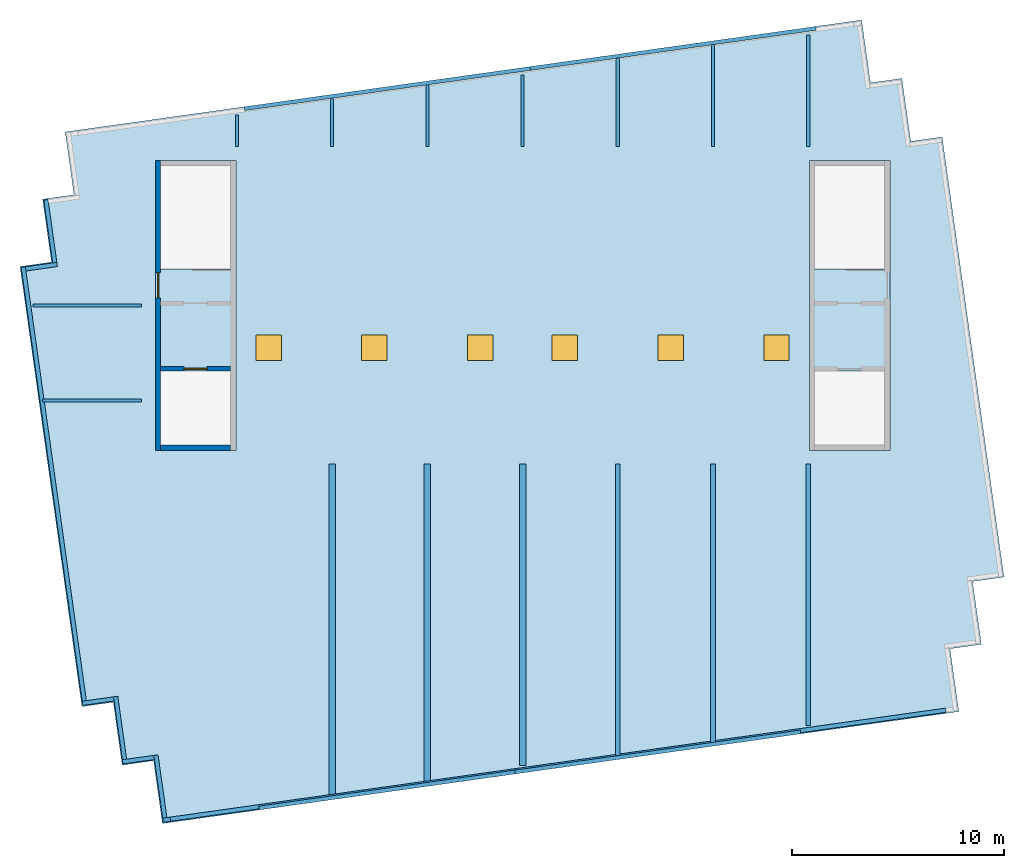
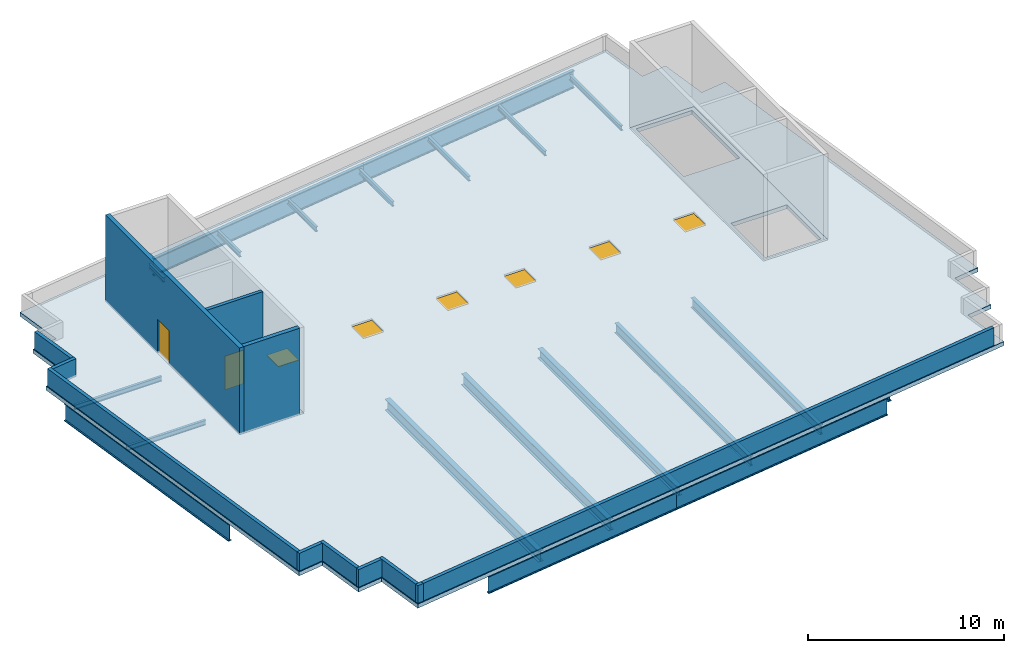
# One storey, part 1 of 3: 20 beams, 12 walls, 6 windows, 3 slabs, 2 doors, 8 openings.
"""IFC4 building model written with IfcOpenShell, lengths in metres."""

from ifc_helpers import new_model, si_unit, direction, frame, frame_2d, origin, origin_2d, place, context, subcontext, project, spatial, polyline, rectangle, i_section, outline, extrude, material, layer, layer_set, material_profile, profile_set, type_object, element, fill, save


model = new_model("IFC4")

# Units and contexts
model_context = context("Model", 3, precision=1e-05, world=origin(), true_north=direction((0.0, 1.0)))
body_context = subcontext(model_context, "Body", "Model", "MODEL_VIEW")
ifc_project = project(units=[si_unit("LENGTHUNIT", "METRE"), si_unit("AREAUNIT", "SQUARE_METRE"), si_unit("VOLUMEUNIT", "CUBIC_METRE"), si_unit("PLANEANGLEUNIT", "RADIAN"), si_unit("MASSUNIT", "GRAM", prefix="KILO")], contexts=[model_context])

# Site, building, storey
site_placement = place(None, origin())
site = spatial("IfcSite", under=ifc_project, at=site_placement, CompositionType="ELEMENT")
building_placement = place(site_placement, origin())
building = spatial("IfcBuilding", under=site, at=building_placement, Name="Rattan Terrace Tower", CompositionType="ELEMENT")
storey_placement = place(building_placement, frame((0.0, 0.0, 316.300048828125)))
storey = spatial("IfcBuildingStorey", under=building, at=storey_placement, Name="ROOF", CompositionType="ELEMENT", Elevation=316.300048828125)

# Beams
ifc_material_1 = material(Name="Steel S460", Category="steel")
ifc_material_profile_1 = material_profile(ifc_material_1, i_section(OverallWidth=0.179931640625, OverallDepth=1.10009765625, WebThickness=0.01611328125, FlangeThickness=0.050048828125, at=origin_2d()), Name="PG 1100x180-16-50")
ifc_profile_set_1 = profile_set([ifc_material_profile_1], Name="Steel S460")
beam_type_1 = type_object("IfcBeamType", Name="Frame edge girder PG 1100x180-16-50", PredefinedType="SPANDREL", material=ifc_profile_set_1)
beam_1_placement = place(storey_placement, frame((-12.45703125, -23.7509765625, -0.800048828125), z_axis=(0.990268332234, 0.139171226104, 0.0), x_axis=(-0.139171226104, 0.990268332234, 0.0)))
element("IfcBeam", 1, at=beam_1_placement, inside=storey, type_object=beam_type_1, Name="gdr-ROOF-001", PredefinedType="SPANDREL", context=body_context, shape_type="SweptSolid", body=[
    extrude(i_section(OverallWidth=0.179931640625, OverallDepth=1.10009765625, WebThickness=0.01611328125, FlangeThickness=0.050048828125, at=origin_2d()), origin(), (0.0, 0.0, 1.0), 12.21484375),
])
beam_2_placement = place(storey_placement, frame((-0.361083984375, -22.051025390625, -0.800048828125), z_axis=(0.990271390556, 0.139149462974, 0.0), x_axis=(-0.139149462974, 0.990271390556, 0.0)))
element("IfcBeam", 2, at=beam_2_placement, inside=storey, type_object=beam_type_1, Name="gdr-ROOF-002", PredefinedType="SPANDREL", context=body_context, shape_type="SweptSolid", body=[
    extrude(i_section(OverallWidth=0.179931640625, OverallDepth=1.10009765625, WebThickness=0.01611328125, FlangeThickness=0.050048828125, at=origin_2d()), origin(), (0.0, 0.0, 1.0), 13.632568359375),
])
for number, where, z_axis, x_axis, name in (
    (3, (-23.448974609375, 0.361083984375, -0.800048828125), (0.139219709116, -0.990261517274, 0.0), (0.990261517274, 0.139219709116, 0.0), "gdr-ROOF-003"),
    (4, (0.361083984375, 11.19189453125, -0.800048828125), (-0.990261517274, -0.139219709116, 0.0), (0.139219709116, -0.990261517274, 0.0), "gdr-ROOF-004"),
):
    element("IfcBeam", number, at=place(storey_placement, frame(where, z_axis=z_axis, x_axis=x_axis)), inside=storey, type_object=beam_type_1, Name=name, PredefinedType="SPANDREL", context=body_context, shape_type="SweptSolid", body=[
        extrude(i_section(OverallWidth=0.179931640625, OverallDepth=1.10009765625, WebThickness=0.01611328125, FlangeThickness=0.050048828125, at=origin_2d()), origin(), (0.0, 0.0, 1.0), 13.6328125),
    ])
beam_3_placement = place(storey_placement, frame((13.861083984375, 13.089111328125, -0.800048828125), z_axis=(-0.990268922684, -0.139167024707, 0.0), x_axis=(0.139167024707, -0.990268922684, 0.0)))
element("IfcBeam", 5, at=beam_3_placement, inside=storey, type_object=beam_type_1, Name="gdr-ROOF-005", PredefinedType="SPANDREL", context=body_context, shape_type="SweptSolid", body=[
    extrude(i_section(OverallWidth=0.179931640625, OverallDepth=1.10009765625, WebThickness=0.01611328125, FlangeThickness=0.050048828125, at=origin_2d()), origin(), (0.0, 0.0, 1.0), 13.632568359375),
])
ifc_material_2 = material(Name="Steel S355", Category="steel")
ifc_material_profile_2 = material_profile(ifc_material_2, i_section(OverallWidth=0.300048828125, OverallDepth=0.60009765625, WebThickness=0.015380859375, FlangeThickness=0.030029296875, FilletRadius=0.027099609375, at=origin_2d()), Name="HE 600 B")
ifc_profile_set_2 = profile_set([ifc_material_profile_2], Name="Steel S355")
beam_type_2 = type_object("IfcBeamType", Name="Frame floor beam HE 600 B", PredefinedType="JOIST", material=ifc_profile_set_2)
beam_4_placement = place(storey_placement, frame((0.0, -21.743896484375, -0.550048828125), z_axis=(0.0, 1.0, 0.0), x_axis=(-1.0, 0.0, 0.0)))
element("IfcBeam", 6, at=beam_4_placement, inside=storey, type_object=beam_type_2, Name="bm-ROOF-003", PredefinedType="JOIST", context=body_context, shape_type="SweptSolid", body=[
    extrude(i_section(OverallWidth=0.300048828125, OverallDepth=0.60009765625, WebThickness=0.015380859375, FlangeThickness=0.030029296875, FilletRadius=0.027099609375, at=origin_2d()), origin(), (0.0, 0.0, 1.0), 14.243896484375),
])
ifc_material_3 = material(Name="Steel S355", Category="steel")
ifc_material_profile_3 = material_profile(ifc_material_3, i_section(OverallWidth=0.300048828125, OverallDepth=0.699951171875, WebThickness=0.01708984375, FlangeThickness=0.031982421875, FilletRadius=0.027099609375, at=origin_2d()), Name="HE 700 B")
ifc_profile_set_3 = profile_set([ifc_material_profile_3], Name="Steel S355")
beam_type_3 = type_object("IfcBeamType", Name="Frame floor beam HE 700 B", PredefinedType="JOIST", material=ifc_profile_set_3)
beam_5_placement = place(storey_placement, frame((-9.0, -23.174072265625, -0.60009765625), z_axis=(0.0, 1.0, 0.0), x_axis=(-1.0, 0.0, 0.0)))
element("IfcBeam", 7, at=beam_5_placement, inside=storey, type_object=beam_type_3, Name="bm-ROOF-001", PredefinedType="JOIST", context=body_context, shape_type="SweptSolid", body=[
    extrude(i_section(OverallWidth=0.300048828125, OverallDepth=0.699951171875, WebThickness=0.01708984375, FlangeThickness=0.031982421875, FilletRadius=0.027099609375, at=origin_2d()), origin(), (0.0, 0.0, 1.0), 15.674072265625),
])
beam_6_placement = place(storey_placement, frame((-4.5, -22.5419921875, -0.60009765625), z_axis=(0.0, 1.0, 0.0), x_axis=(-1.0, 0.0, 0.0)))
element("IfcBeam", 8, at=beam_6_placement, inside=storey, type_object=beam_type_3, Name="bm-ROOF-002", PredefinedType="JOIST", context=body_context, shape_type="SweptSolid", body=[
    extrude(i_section(OverallWidth=0.300048828125, OverallDepth=0.699951171875, WebThickness=0.01708984375, FlangeThickness=0.031982421875, FilletRadius=0.027099609375, at=origin_2d()), origin(), (0.0, 0.0, 1.0), 15.0419921875),
])
ifc_material_4 = material(Name="Steel S355", Category="steel")
ifc_material_profile_4 = material_profile(ifc_material_4, i_section(OverallWidth=0.14990234375, OverallDepth=0.300048828125, WebThickness=0.007080078125, FlangeThickness=0.0107421875, FilletRadius=0.014892578125, at=origin_2d()), Name="IPE 300")
ifc_profile_set_4 = profile_set([ifc_material_profile_4], Name="Steel S355")
beam_type_4 = type_object("IfcBeamType", Name="Frame floor beam IPE 300", PredefinedType="JOIST", material=ifc_profile_set_4)
beam_7_placement = place(storey_placement, frame((-22.675048828125, -4.5, -0.400146484375), z_axis=(1.0, 0.0, 0.0), x_axis=(0.0, 1.0, 0.0)))
element("IfcBeam", 9, at=beam_7_placement, inside=storey, type_object=beam_type_4, Name="bm-ROOF-007", PredefinedType="JOIST", context=body_context, shape_type="SweptSolid", body=[
    extrude(i_section(OverallWidth=0.14990234375, OverallDepth=0.300048828125, WebThickness=0.007080078125, FlangeThickness=0.0107421875, FilletRadius=0.014892578125, at=origin_2d()), origin(), (0.0, 0.0, 1.0), 4.675048828125),
])
beam_8_placement = place(storey_placement, frame((-23.14111328125, 0.0, -0.400146484375), z_axis=(1.0, 0.0, 0.0), x_axis=(0.0, 1.0, 0.0)))
element("IfcBeam", 10, at=beam_8_placement, inside=storey, type_object=beam_type_4, Name="bm-ROOF-008", PredefinedType="JOIST", context=body_context, shape_type="SweptSolid", body=[
    extrude(i_section(OverallWidth=0.14990234375, OverallDepth=0.300048828125, WebThickness=0.007080078125, FlangeThickness=0.0107421875, FilletRadius=0.014892578125, at=origin_2d()), origin(), (0.0, 0.0, 1.0), 5.14111328125),
])
beam_9_placement = place(storey_placement, frame((-13.5, 7.5, -0.400146484375), z_axis=(0.0, 1.0, 0.0), x_axis=(-1.0, 0.0, 0.0)))
element("IfcBeam", 11, at=beam_9_placement, inside=storey, type_object=beam_type_4, Name="bm-ROOF-009", PredefinedType="JOIST", context=body_context, shape_type="SweptSolid", body=[
    extrude(i_section(OverallWidth=0.14990234375, OverallDepth=0.300048828125, WebThickness=0.007080078125, FlangeThickness=0.0107421875, FilletRadius=0.014892578125, at=origin_2d()), origin(), (0.0, 0.0, 1.0), 1.487060546875),
])
beam_10_placement = place(storey_placement, frame((-9.0, 7.5, -0.400146484375), z_axis=(0.0, 1.0, 0.0), x_axis=(-1.0, 0.0, 0.0)))
element("IfcBeam", 12, at=beam_10_placement, inside=storey, type_object=beam_type_4, Name="bm-ROOF-010", PredefinedType="JOIST", context=body_context, shape_type="SweptSolid", body=[
    extrude(i_section(OverallWidth=0.14990234375, OverallDepth=0.300048828125, WebThickness=0.007080078125, FlangeThickness=0.0107421875, FilletRadius=0.014892578125, at=origin_2d()), origin(), (0.0, 0.0, 1.0), 2.284912109375),
])
beam_11_placement = place(storey_placement, frame((-4.5, 7.5, -0.400146484375), z_axis=(0.0, 1.0, 0.0), x_axis=(-1.0, 0.0, 0.0)))
element("IfcBeam", 13, at=beam_11_placement, inside=storey, type_object=beam_type_4, Name="bm-ROOF-011", PredefinedType="JOIST", context=body_context, shape_type="SweptSolid", body=[
    extrude(i_section(OverallWidth=0.14990234375, OverallDepth=0.300048828125, WebThickness=0.007080078125, FlangeThickness=0.0107421875, FilletRadius=0.014892578125, at=origin_2d()), origin(), (0.0, 0.0, 1.0), 2.91796875),
])
beam_12_placement = place(storey_placement, frame((0.0, 7.5, -0.400146484375), z_axis=(0.0, 1.0, 0.0), x_axis=(-1.0, 0.0, 0.0)))
element("IfcBeam", 14, at=beam_12_placement, inside=storey, type_object=beam_type_4, Name="bm-ROOF-012", PredefinedType="JOIST", context=body_context, shape_type="SweptSolid", body=[
    extrude(i_section(OverallWidth=0.14990234375, OverallDepth=0.300048828125, WebThickness=0.007080078125, FlangeThickness=0.0107421875, FilletRadius=0.014892578125, at=origin_2d()), origin(), (0.0, 0.0, 1.0), 3.385009765625),
])
beam_13_placement = place(storey_placement, frame((4.5, 7.5, -0.400146484375), z_axis=(0.0, 1.0, 0.0), x_axis=(-1.0, 0.0, 0.0)))
element("IfcBeam", 15, at=beam_13_placement, inside=storey, type_object=beam_type_4, Name="bm-ROOF-013", PredefinedType="JOIST", context=body_context, shape_type="SweptSolid", body=[
    extrude(i_section(OverallWidth=0.14990234375, OverallDepth=0.300048828125, WebThickness=0.007080078125, FlangeThickness=0.0107421875, FilletRadius=0.014892578125, at=origin_2d()), origin(), (0.0, 0.0, 1.0), 4.18310546875),
])
beam_14_placement = place(storey_placement, frame((9.0, 7.5, -0.400146484375), z_axis=(0.0, 1.0, 0.0), x_axis=(-1.0, 0.0, 0.0)))
element("IfcBeam", 16, at=beam_14_placement, inside=storey, type_object=beam_type_4, Name="bm-ROOF-014", PredefinedType="JOIST", context=body_context, shape_type="SweptSolid", body=[
    extrude(i_section(OverallWidth=0.14990234375, OverallDepth=0.300048828125, WebThickness=0.007080078125, FlangeThickness=0.0107421875, FilletRadius=0.014892578125, at=origin_2d()), origin(), (0.0, 0.0, 1.0), 4.81494140625),
])
beam_15_placement = place(storey_placement, frame((13.5, 7.5, -0.400146484375), z_axis=(0.0, 1.0, 0.0), x_axis=(-1.0, 0.0, 0.0)))
element("IfcBeam", 17, at=beam_15_placement, inside=storey, type_object=beam_type_4, Name="bm-ROOF-015", PredefinedType="JOIST", context=body_context, shape_type="SweptSolid", body=[
    extrude(i_section(OverallWidth=0.14990234375, OverallDepth=0.300048828125, WebThickness=0.007080078125, FlangeThickness=0.0107421875, FilletRadius=0.014892578125, at=origin_2d()), origin(), (0.0, 0.0, 1.0), 5.281982421875),
])
ifc_material_5 = material(Name="Steel S355", Category="steel")
ifc_material_profile_5 = material_profile(ifc_material_5, i_section(OverallWidth=0.219970703125, OverallDepth=0.60009765625, WebThickness=0.011962890625, FlangeThickness=0.01904296875, FilletRadius=0.02392578125, at=origin_2d()), Name="IPE 600")
ifc_profile_set_5 = profile_set([ifc_material_profile_5], Name="Steel S355")
beam_type_5 = type_object("IfcBeamType", Name="Frame floor beam IPE 600", PredefinedType="JOIST", material=ifc_profile_set_5)
beam_16_placement = place(storey_placement, frame((13.5, -19.846923828125, -0.550048828125), z_axis=(0.0, 1.0, 0.0), x_axis=(-1.0, 0.0, 0.0)))
element("IfcBeam", 18, at=beam_16_placement, inside=storey, type_object=beam_type_5, Name="bm-ROOF-006", PredefinedType="JOIST", context=body_context, shape_type="SweptSolid", body=[
    extrude(i_section(OverallWidth=0.219970703125, OverallDepth=0.60009765625, WebThickness=0.011962890625, FlangeThickness=0.01904296875, FilletRadius=0.02392578125, at=origin_2d()), origin(), (0.0, 0.0, 1.0), 12.346923828125),
])
ifc_material_6 = material(Name="Steel S355", Category="steel")
ifc_material_profile_6 = material_profile(ifc_material_6, i_section(OverallWidth=0.22412109375, OverallDepth=0.610107421875, WebThickness=0.014892578125, FlangeThickness=0.02392578125, FilletRadius=0.02392578125, at=origin_2d()), Name="IPE O 600")
ifc_profile_set_6 = profile_set([ifc_material_profile_6], Name="Steel S355")
beam_type_6 = type_object("IfcBeamType", Name="Frame floor beam IPE O 600", PredefinedType="JOIST", material=ifc_profile_set_6)
beam_17_placement = place(storey_placement, frame((4.5, -21.277099609375, -0.554931640625), z_axis=(0.0, 1.0, 0.0), x_axis=(-1.0, 0.0, 0.0)))
element("IfcBeam", 19, at=beam_17_placement, inside=storey, type_object=beam_type_6, Name="bm-ROOF-004", PredefinedType="JOIST", context=body_context, shape_type="SweptSolid", body=[
    extrude(i_section(OverallWidth=0.22412109375, OverallDepth=0.610107421875, WebThickness=0.014892578125, FlangeThickness=0.02392578125, FilletRadius=0.02392578125, at=origin_2d()), origin(), (0.0, 0.0, 1.0), 13.777099609375),
])
beam_18_placement = place(storey_placement, frame((9.0, -20.64501953125, -0.554931640625), z_axis=(0.0, 1.0, 0.0), x_axis=(-1.0, 0.0, 0.0)))
element("IfcBeam", 20, at=beam_18_placement, inside=storey, type_object=beam_type_6, Name="bm-ROOF-005", PredefinedType="JOIST", context=body_context, shape_type="SweptSolid", body=[
    extrude(i_section(OverallWidth=0.22412109375, OverallDepth=0.610107421875, WebThickness=0.014892578125, FlangeThickness=0.02392578125, FilletRadius=0.02392578125, at=origin_2d()), origin(), (0.0, 0.0, 1.0), 13.14501953125),
])

# Slab, openings, windows
ifc_material_7 = material(Name="Concrete C35/45", Category="concrete")
ifc_layer_1 = layer(ifc_material_7, 0.25)
ifc_layer_set_1 = layer_set([ifc_layer_1], Name="Frame roof slab 250")
slab_type_1 = type_object("IfcSlabType", Name="Frame roof slab 250", PredefinedType="ROOF", material=ifc_layer_set_1)
slab_1_placement = place(storey_placement, frame((0.0, 0.0, -0.25)))
slab_1 = element("IfcSlab", 21, at=slab_1_placement, inside=storey, type_object=slab_type_1, Name="Roof slab", PredefinedType="ROOF", context=body_context, shape_type="SweptSolid", body=[
    extrude(outline(polyline([(-22.260986328125, 2.0458984375), (-23.7470703125, 1.8369140625), (-20.823974609375, -18.958984375), (-19.340087890625, -18.75), (-18.9208984375, -21.722900390625), (-17.43701171875, -21.514892578125), (-17.01904296875, -24.48388671875), (-16.52392578125, -24.4140625), (20.115966796875, -19.263916015625), (20.612060546875, -19.195068359375), (20.195068359375, -16.22509765625), (21.678955078125, -16.01611328125), (21.260986328125, -13.0458984375), (22.7470703125, -12.8369140625), (19.823974609375, 7.958984375), (18.340087890625, 7.75), (17.9208984375, 10.722900390625), (16.43701171875, 10.514892578125), (16.01904296875, 13.48388671875), (15.52392578125, 13.4140625), (-21.115966796875, 8.263916015625), (-21.612060546875, 8.195068359375), (-21.195068359375, 5.22509765625), (-22.678955078125, 5.01611328125), (-22.260986328125, 2.0458984375)]), holes=[polyline([(-13.550048828125, 6.85009765625), (-17.35009765625, 6.85009765625), (-17.35009765625, -6.85009765625), (-13.550048828125, -6.85009765625), (-13.550048828125, 6.85009765625)]), polyline([(13.550048828125, 6.85009765625), (13.550048828125, -6.85009765625), (17.35009765625, -6.85009765625), (17.35009765625, 6.85009765625), (13.550048828125, 6.85009765625)])]), origin(), (0.0, 0.0, 1.0), 0.25),
])
opening_1_placement = place(slab_1_placement, frame((-12.0, -2.0, 0.0)))
opening_1 = element("IfcOpeningElement", 22, at=opening_1_placement, cuts=slab_1, Name="Opening SV1", PredefinedType="OPENING", context=body_context, shape_type="SweptSolid", body=[
    extrude(rectangle(XDim=1.199951171875, YDim=1.199951171875, at=origin_2d()), origin(), (0.0, 0.0, 1.0), 0.25),
])
opening_2_placement = place(slab_1_placement, frame((-7.0, -2.0, 0.0)))
opening_2 = element("IfcOpeningElement", 23, at=opening_2_placement, cuts=slab_1, Name="Opening SV1", PredefinedType="OPENING", context=body_context, shape_type="SweptSolid", body=[
    extrude(rectangle(XDim=1.199951171875, YDim=1.199951171875, at=origin_2d()), origin(), (0.0, 0.0, 1.0), 0.25),
])
opening_3_placement = place(slab_1_placement, frame((-2.0, -2.0, 0.0)))
opening_3 = element("IfcOpeningElement", 24, at=opening_3_placement, cuts=slab_1, Name="Opening SV1", PredefinedType="OPENING", context=body_context, shape_type="SweptSolid", body=[
    extrude(rectangle(XDim=1.199951171875, YDim=1.199951171875, at=origin_2d()), origin(), (0.0, 0.0, 1.0), 0.25),
])
opening_4_placement = place(slab_1_placement, frame((2.0, -2.0, 0.0)))
opening_4 = element("IfcOpeningElement", 25, at=opening_4_placement, cuts=slab_1, Name="Opening SV1", PredefinedType="OPENING", context=body_context, shape_type="SweptSolid", body=[
    extrude(rectangle(XDim=1.199951171875, YDim=1.199951171875, at=origin_2d()), origin(), (0.0, 0.0, 1.0), 0.25),
])
opening_5_placement = place(slab_1_placement, frame((7.0, -2.0, 0.0)))
opening_5 = element("IfcOpeningElement", 26, at=opening_5_placement, cuts=slab_1, Name="Opening SV1", PredefinedType="OPENING", context=body_context, shape_type="SweptSolid", body=[
    extrude(rectangle(XDim=1.199951171875, YDim=1.199951171875, at=origin_2d()), origin(), (0.0, 0.0, 1.0), 0.25),
])
opening_6_placement = place(slab_1_placement, frame((12.0, -2.0, 0.0)))
opening_6 = element("IfcOpeningElement", 27, at=opening_6_placement, cuts=slab_1, Name="Opening SV1", PredefinedType="OPENING", context=body_context, shape_type="SweptSolid", body=[
    extrude(rectangle(XDim=1.199951171875, YDim=1.199951171875, at=origin_2d()), origin(), (0.0, 0.0, 1.0), 0.25),
])
ifc_material_8 = material(Name="Aluminium smoke vent with laminated glass", Category="aluminium")
window_type = type_object("IfcWindowType", Name="Crown Smoke Vent 1200x1200", PartitioningType="SINGLE_PANEL", PredefinedType="USERDEFINED", material=ifc_material_8)
window_1_placement = place(opening_1_placement, frame((0.0, 0.0, 0.199951171875)))
window_1 = element("IfcWindow", 28, at=window_1_placement, inside=storey, type_object=window_type, Name="Crown smoke vent 1", ObjectType="SMOKE VENT", OverallHeight=1.199951171875, OverallWidth=1.199951171875, PartitioningType="SINGLE_PANEL", PredefinedType="USERDEFINED", context=body_context, shape_type="SweptSolid", body=[
    extrude(rectangle(XDim=1.199951171875, YDim=1.199951171875, at=origin_2d()), origin(), (0.0, 0.0, 1.0), 0.050048828125),
])
fill(opening_1, window_1)
window_2_placement = place(opening_2_placement, frame((0.0, 0.0, 0.199951171875)))
window_2 = element("IfcWindow", 29, at=window_2_placement, inside=storey, type_object=window_type, Name="Crown smoke vent 2", ObjectType="SMOKE VENT", OverallHeight=1.199951171875, OverallWidth=1.199951171875, PartitioningType="SINGLE_PANEL", PredefinedType="USERDEFINED", context=body_context, shape_type="SweptSolid", body=[
    extrude(rectangle(XDim=1.199951171875, YDim=1.199951171875, at=origin_2d()), origin(), (0.0, 0.0, 1.0), 0.050048828125),
])
fill(opening_2, window_2)
window_3_placement = place(opening_3_placement, frame((0.0, 0.0, 0.199951171875)))
window_3 = element("IfcWindow", 30, at=window_3_placement, inside=storey, type_object=window_type, Name="Crown smoke vent 3", ObjectType="SMOKE VENT", OverallHeight=1.199951171875, OverallWidth=1.199951171875, PartitioningType="SINGLE_PANEL", PredefinedType="USERDEFINED", context=body_context, shape_type="SweptSolid", body=[
    extrude(rectangle(XDim=1.199951171875, YDim=1.199951171875, at=origin_2d()), origin(), (0.0, 0.0, 1.0), 0.050048828125),
])
fill(opening_3, window_3)
window_4_placement = place(opening_4_placement, frame((0.0, 0.0, 0.199951171875)))
window_4 = element("IfcWindow", 31, at=window_4_placement, inside=storey, type_object=window_type, Name="Crown smoke vent 4", ObjectType="SMOKE VENT", OverallHeight=1.199951171875, OverallWidth=1.199951171875, PartitioningType="SINGLE_PANEL", PredefinedType="USERDEFINED", context=body_context, shape_type="SweptSolid", body=[
    extrude(rectangle(XDim=1.199951171875, YDim=1.199951171875, at=origin_2d()), origin(), (0.0, 0.0, 1.0), 0.050048828125),
])
fill(opening_4, window_4)
window_5_placement = place(opening_5_placement, frame((0.0, 0.0, 0.199951171875)))
window_5 = element("IfcWindow", 32, at=window_5_placement, inside=storey, type_object=window_type, Name="Crown smoke vent 5", ObjectType="SMOKE VENT", OverallHeight=1.199951171875, OverallWidth=1.199951171875, PartitioningType="SINGLE_PANEL", PredefinedType="USERDEFINED", context=body_context, shape_type="SweptSolid", body=[
    extrude(rectangle(XDim=1.199951171875, YDim=1.199951171875, at=origin_2d()), origin(), (0.0, 0.0, 1.0), 0.050048828125),
])
fill(opening_5, window_5)
window_6_placement = place(opening_6_placement, frame((0.0, 0.0, 0.199951171875)))
window_6 = element("IfcWindow", 33, at=window_6_placement, inside=storey, type_object=window_type, Name="Crown smoke vent 6", ObjectType="SMOKE VENT", OverallHeight=1.199951171875, OverallWidth=1.199951171875, PartitioningType="SINGLE_PANEL", PredefinedType="USERDEFINED", context=body_context, shape_type="SweptSolid", body=[
    extrude(rectangle(XDim=1.199951171875, YDim=1.199951171875, at=origin_2d()), origin(), (0.0, 0.0, 1.0), 0.050048828125),
])
fill(opening_6, window_6)

# Slabs
ifc_material_9 = material(Name="Concrete C40/50", Category="concrete")
ifc_layer_2 = layer(ifc_material_9, 0.25)
ifc_layer_set_2 = layer_set([ifc_layer_2], Name="Stair head-house floor 250")
slab_type_2 = type_object("IfcSlabType", Name="Stair head-house floor 250", PredefinedType="FLOOR", material=ifc_layer_set_2)
slab_2_placement = place(storey_placement, frame((0.0, 0.0, -0.25)))
element("IfcSlab", 34, at=slab_2_placement, inside=storey, type_object=slab_type_2, Name="Stair head-house S1 floor", PredefinedType="FLOOR", context=body_context, shape_type="SweptSolid", body=[
    extrude(outline(polyline([(-13.550048828125, 6.85009765625), (-13.550048828125, -6.85009765625), (-17.35009765625, -6.85009765625), (-17.35009765625, 6.85009765625), (-13.550048828125, 6.85009765625)]), holes=[polyline([(-13.800048828125, 6.60009765625), (-17.10009765625, 6.60009765625), (-17.10009765625, 1.7099609375), (-13.800048828125, 1.7099609375), (-13.800048828125, 6.60009765625)]), polyline([(-13.800048828125, -6.60009765625), (-13.800048828125, -3.10009765625), (-17.10009765625, -3.10009765625), (-17.10009765625, -6.60009765625), (-13.800048828125, -6.60009765625)])]), origin(), (0.0, 0.0, 1.0), 0.25),
])
slab_3_placement = place(storey_placement, frame((0.0, 0.0, -0.25)))
element("IfcSlab", 35, at=slab_3_placement, inside=storey, type_object=slab_type_2, Name="Stair head-house S2 floor", PredefinedType="FLOOR", context=body_context, shape_type="SweptSolid", body=[
    extrude(outline(polyline([(17.35009765625, 6.85009765625), (17.35009765625, -6.85009765625), (13.550048828125, -6.85009765625), (13.550048828125, 6.85009765625), (17.35009765625, 6.85009765625)]), holes=[polyline([(17.10009765625, 6.60009765625), (13.800048828125, 6.60009765625), (13.800048828125, 1.7099609375), (17.10009765625, 1.7099609375), (17.10009765625, 6.60009765625)]), polyline([(17.10009765625, -6.60009765625), (17.10009765625, -3.10009765625), (13.800048828125, -3.10009765625), (13.800048828125, -6.60009765625), (17.10009765625, -6.60009765625)])]), origin(), (0.0, 0.0, 1.0), 0.25),
])

# Walls
ifc_material_10 = material(Name="Reinforced concrete C30/37", Category="concrete")
ifc_layer_3 = layer(ifc_material_10, 0.199951171875)
ifc_layer_set_3 = layer_set([ifc_layer_3], Name="Facade Roof Parapet 200")
wall_type_1 = type_object("IfcWallType", Name="Facade Roof Parapet 200", PredefinedType="PARAPET", material=ifc_layer_set_3)
wall_1_placement = place(storey_placement, frame((-23.47900390625, 1.722900390625, 0.0), z_axis=(0.0, 0.0, 1.0), x_axis=(0.990256228307, 0.13925732404, 0.0)))
element("IfcWall", 36, at=wall_1_placement, inside=storey, type_object=wall_type_1, Name="Roof parapet 1", PredefinedType="PARAPET", context=body_context, shape_type="SweptSolid", body=[
    extrude(rectangle(XDim=1.500732421875, YDim=0.199951171875, at=frame_2d((0.75048828125, 0.0))), origin(), (0.0, 0.0, 1.0), 1.099853515625),
])
wall_2_placement = place(storey_placement, frame((-22.10498046875, 2.01708984375, 0.0), z_axis=(0.0, 0.0, 1.0), x_axis=(-0.139358350296, 0.990242015975, 0.0)))
element("IfcWall", 37, at=wall_2_placement, inside=storey, type_object=wall_type_1, Name="Roof parapet 2", PredefinedType="PARAPET", context=body_context, shape_type="SweptSolid", body=[
    extrude(rectangle(XDim=2.999267578125, YDim=0.199951171875, at=frame_2d((1.49951171875, 0.0))), origin(), (0.0, 0.0, 1.0), 1.099853515625),
])
wall_3_placement = place(storey_placement, frame((19.99609375, -19.12890625, 0.0), z_axis=(0.0, 0.0, 1.0), x_axis=(-0.99026541991, -0.139191947074, 0.0)))
element("IfcWall", 38, at=wall_3_placement, inside=storey, type_object=wall_type_1, Name="Roof parapet 18", PredefinedType="PARAPET", context=body_context, shape_type="SweptSolid", body=[
    extrude(rectangle(XDim=37.000244140625, YDim=0.199951171875, at=frame_2d((18.5, 0.0))), origin(), (0.0, 0.0, 1.0), 1.099853515625),
])
wall_4_placement = place(storey_placement, frame((-16.64404296875, -24.279052734375, 0.0), z_axis=(0.0, 0.0, 1.0), x_axis=(-0.990185685296, -0.139758036033, 0.0)))
element("IfcWall", 39, at=wall_4_placement, inside=storey, type_object=wall_type_1, Name="Roof parapet 19", PredefinedType="PARAPET", context=body_context, shape_type="SweptSolid", body=[
    extrude(rectangle(XDim=0.349365234375, YDim=0.199951171875, at=frame_2d((0.1748046875, 0.0))), origin(), (0.0, 0.0, 1.0), 1.099853515625),
])
wall_5_placement = place(storey_placement, frame((-16.905029296875, -24.215087890625, 0.0), z_axis=(0.0, 0.0, 1.0), x_axis=(-0.139448273327, 0.990229356799, 0.0)))
element("IfcWall", 40, at=wall_5_placement, inside=storey, type_object=wall_type_1, Name="Roof parapet 20", PredefinedType="PARAPET", context=body_context, shape_type="SweptSolid", body=[
    extrude(rectangle(XDim=2.997314453125, YDim=0.199951171875, at=frame_2d((1.49853515625, 0.0))), origin(), (0.0, 0.0, 1.0), 1.099853515625),
])
wall_6_placement = place(storey_placement, frame((-17.407958984375, -21.360107421875, 0.0), z_axis=(0.0, 0.0, 1.0), x_axis=(-0.990320708651, -0.138798033191, 0.0)))
element("IfcWall", 41, at=wall_6_placement, inside=storey, type_object=wall_type_1, Name="Roof parapet 21", PredefinedType="PARAPET", context=body_context, shape_type="SweptSolid", body=[
    extrude(rectangle(XDim=1.49853515625, YDim=0.199951171875, at=frame_2d((0.749267578125, 0.0))), origin(), (0.0, 0.0, 1.0), 1.099853515625),
])
wall_7_placement = place(storey_placement, frame((-18.806884765625, -21.455078125, 0.0), z_axis=(0.0, 0.0, 1.0), x_axis=(-0.139611135078, 0.990206408261, 0.0)))
element("IfcWall", 42, at=wall_7_placement, inside=storey, type_object=wall_type_1, Name="Roof parapet 22", PredefinedType="PARAPET", context=body_context, shape_type="SweptSolid", body=[
    extrude(rectangle(XDim=3.00244140625, YDim=0.199951171875, at=frame_2d((1.501220703125, 0.0))), origin(), (0.0, 0.0, 1.0), 1.099853515625),
])
wall_8_placement = place(storey_placement, frame((-19.31103515625, -18.593994140625, 0.0), z_axis=(0.0, 0.0, 1.0), x_axis=(-0.990227772678, -0.139459521786, 0.0)))
element("IfcWall", 43, at=wall_8_placement, inside=storey, type_object=wall_type_1, Name="Roof parapet 23", PredefinedType="PARAPET", context=body_context, shape_type="SweptSolid", body=[
    extrude(rectangle(XDim=1.49853515625, YDim=0.199951171875, at=frame_2d((0.749267578125, 0.0))), origin(), (0.0, 0.0, 1.0), 1.099853515625),
])
wall_9_placement = place(storey_placement, frame((-20.7099609375, -18.69091796875, 0.0), z_axis=(0.0, 0.0, 1.0), x_axis=(-0.139226641253, 0.990260542668, 0.0)))
element("IfcWall", 44, at=wall_9_placement, inside=storey, type_object=wall_type_1, Name="Roof parapet 24", PredefinedType="PARAPET", context=body_context, shape_type="SweptSolid", body=[
    extrude(rectangle(XDim=20.70068359375, YDim=0.199951171875, at=frame_2d((10.350341796875, 0.0))), origin(), (0.0, 0.0, 1.0), 1.099853515625),
])

# Wall, opening, door
ifc_material_11 = material(Name="Concrete C40/50", Category="concrete")
ifc_layer_4 = layer(ifc_material_11, 0.199951171875)
ifc_layer_set_4 = layer_set([ifc_layer_4], Name="Stair head-house wall 200")
wall_type_2 = type_object("IfcWallType", Name="Stair head-house wall 200", PredefinedType="SHEAR", material=ifc_layer_set_4)
wall_10_placement = place(storey_placement, frame((-17.10009765625, -3.0, 0.0), z_axis=(0.0, 0.0, 1.0), x_axis=(1.0, 0.0, 0.0)))
wall_10 = element("IfcWall", 45, at=wall_10_placement, inside=storey, type_object=wall_type_2, Name="Lift shaft wall", PredefinedType="SHEAR", context=body_context, shape_type="SweptSolid", body=[
    extrude(rectangle(XDim=3.300048828125, YDim=0.199951171875, at=frame_2d((1.64990234375, 0.0))), origin(), (0.0, 0.0, 1.0), 5.39990234375),
])
opening_7_placement = place(wall_10_placement, frame((1.10009765625, 0.0, 0.0)))
opening_7 = element("IfcOpeningElement", 46, at=opening_7_placement, cuts=wall_10, Name="Opening ROOF-LD-FF1", PredefinedType="OPENING", context=body_context, shape_type="SweptSolid", body=[
    extrude(rectangle(XDim=1.10009765625, YDim=2.10009765625, at=frame_2d((0.550048828125, 1.050048828125))), frame((0.0, 0.110595703125, 0.0), z_axis=(0.0, -1.0, 0.0), x_axis=(1.0, 0.0, 0.0)), (0.0, 0.0, 1.0), 0.220947265625),
])
ifc_material_12 = material(Name="Brushed stainless landing door panel")
door_type_1 = type_object("IfcDoorType", Name="Core lift landing door 1100", OperationType="DOUBLE_DOOR_SLIDING", PredefinedType="DOOR", material=ifc_material_12)
door_1_placement = place(opening_7_placement, origin())
door_1 = element("IfcDoor", 47, at=door_1_placement, inside=storey, type_object=door_type_1, Name="Door ROOF-LD-FF1", OperationType="DOUBLE_DOOR_SLIDING", OverallHeight=2.10009765625, OverallWidth=1.10009765625, PredefinedType="DOOR", context=body_context, shape_type="SweptSolid", body=[
    extrude(rectangle(XDim=1.10009765625, YDim=2.10009765625, at=frame_2d((0.550048828125, 1.050048828125))), frame((0.0, 0.02490234375, 0.0), z_axis=(0.0, -1.0, 0.0), x_axis=(1.0, 0.0, 0.0)), (0.0, 0.0, 1.0), 0.050048828125),
])
fill(opening_7, door_1)

ifc_material_13 = material(Name="Concrete C40/50", Category="concrete")
ifc_layer_5 = layer(ifc_material_13, 0.25)
ifc_layer_set_5 = layer_set([ifc_layer_5], Name="Stair head-house wall 250")
wall_type_3 = type_object("IfcWallType", Name="Stair head-house wall 250", PredefinedType="SHEAR", material=ifc_layer_set_5)
wall_11_placement = place(storey_placement, frame((-17.22509765625, -6.85009765625, 0.0), z_axis=(0.0, 0.0, 1.0), x_axis=(0.0, 1.0, 0.0)))
wall_11 = element("IfcWall", 48, at=wall_11_placement, inside=storey, type_object=wall_type_3, Name="Stair head-house wall", PredefinedType="SHEAR", context=body_context, shape_type="SweptSolid", body=[
    extrude(rectangle(XDim=13.7001953125, YDim=0.25, at=frame_2d((6.85009765625, 0.0))), origin(), (0.0, 0.0, 1.0), 5.39990234375),
])
opening_8_placement = place(wall_11_placement, frame((7.199951171875, 0.0, 0.0)))
opening_8 = element("IfcOpeningElement", 49, at=opening_8_placement, cuts=wall_11, Name="Opening ROOF-D002", PredefinedType="OPENING", context=body_context, shape_type="SweptSolid", body=[
    extrude(rectangle(XDim=1.199951171875, YDim=2.10009765625, at=frame_2d((0.60009765625, 1.050048828125))), frame((0.0, 0.135498046875, 0.0), z_axis=(0.0, -1.0, 0.0), x_axis=(1.0, 0.0, 0.0)), (0.0, 0.0, 1.0), 0.27099609375),
])
ifc_material_14 = material(Name="Hollow-metal fire door leaf")
door_type_2 = type_object("IfcDoorType", Name="Core stair door 1200", OperationType="NOTDEFINED", PredefinedType="DOOR", material=ifc_material_14)
door_2_placement = place(opening_8_placement, origin())
door_2 = element("IfcDoor", 50, at=door_2_placement, inside=storey, type_object=door_type_2, Name="Door ROOF-D002", OperationType="SINGLE_SWING_RIGHT", OverallHeight=2.10009765625, OverallWidth=1.199951171875, PredefinedType="DOOR", context=body_context, shape_type="SweptSolid", body=[
    extrude(rectangle(XDim=1.199951171875, YDim=2.10009765625, at=frame_2d((0.60009765625, 1.050048828125))), frame((0.0, 0.02490234375, 0.0), z_axis=(0.0, -1.0, 0.0), x_axis=(1.0, 0.0, 0.0)), (0.0, 0.0, 1.0), 0.050048828125),
])
fill(opening_8, door_2)

# Wall
wall_12_placement = place(storey_placement, frame((-17.10009765625, -6.72509765625, 0.0), z_axis=(0.0, 0.0, 1.0), x_axis=(1.0, 0.0, 0.0)))
element("IfcWall", 51, at=wall_12_placement, inside=storey, type_object=wall_type_3, Name="Stair head-house wall", PredefinedType="SHEAR", context=body_context, shape_type="SweptSolid", body=[
    extrude(rectangle(XDim=3.300048828125, YDim=0.25, at=frame_2d((1.64990234375, 0.0))), origin(), (0.0, 0.0, 1.0), 5.39990234375),
])

save(model, "model.ifc")
